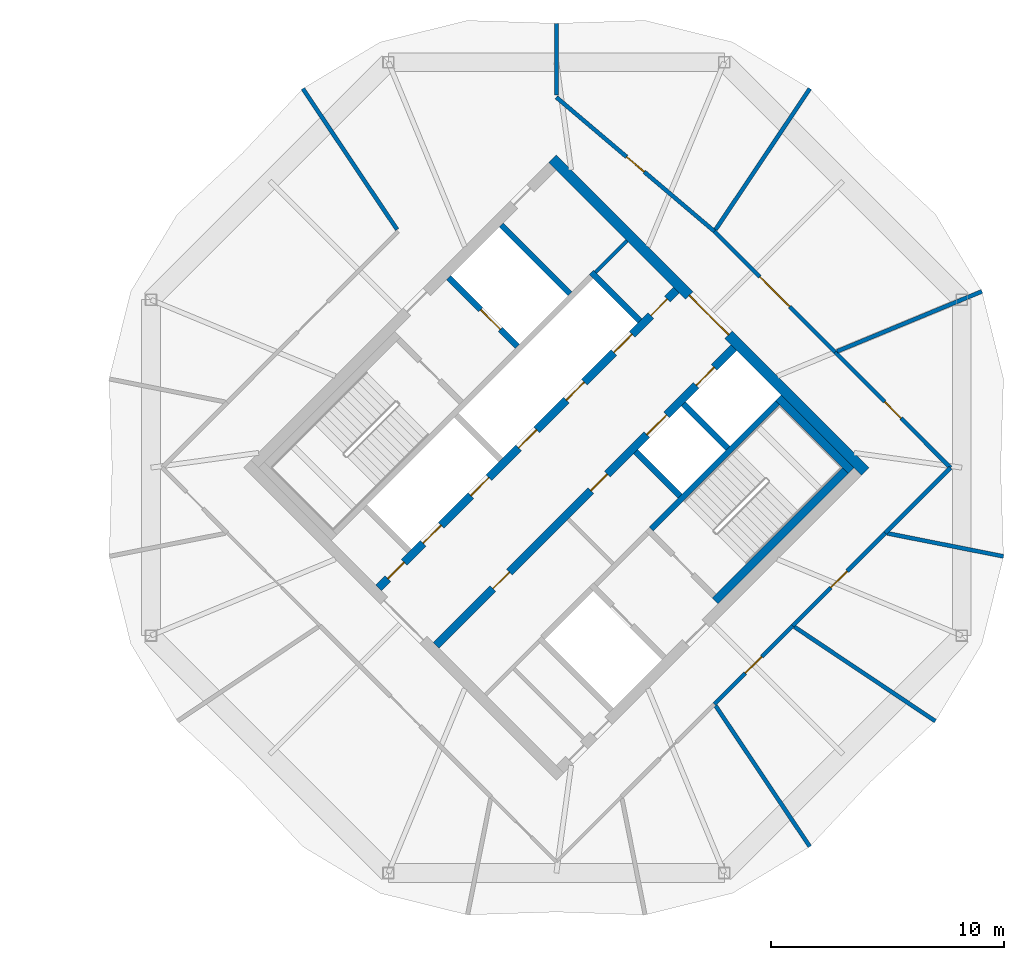
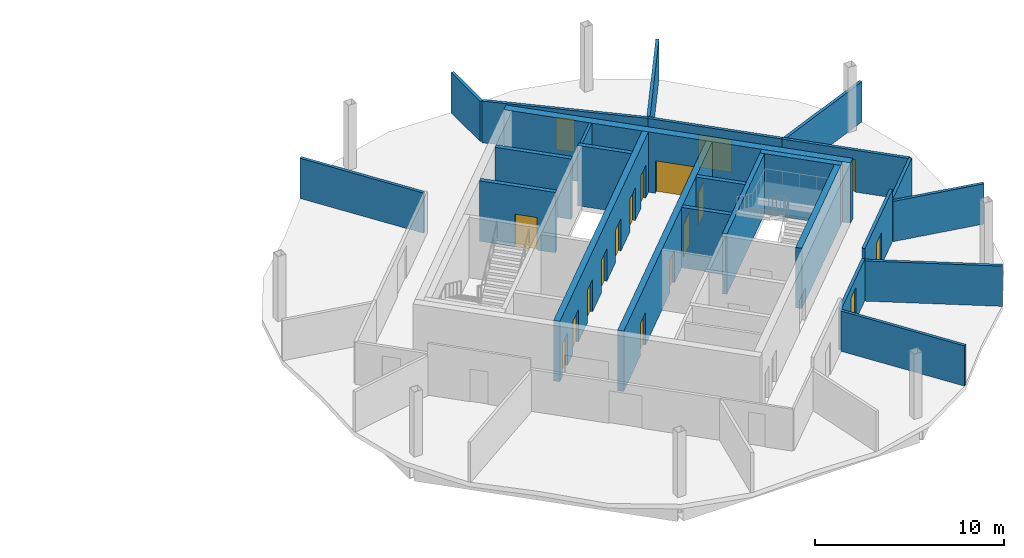
# One storey, part 8 of 10: 25 walls, 18 doors, 18 openings.
"""IFC4 building model written with IfcOpenShell, lengths in metres."""

import ifcopenshell
import ifcopenshell.guid

model = None  # the IFC model being written
_history = None  # IfcOwnerHistory: only IFC2X3 demands one
_inside = {}  # id of a spatial element -> (the spatial element, [elements in it])
_under = {}  # id of a project, library or spatial element -> (it, [spatial elements below it])
_declared = {}  # id of a project -> (the project, [libraries it declares])
_typed = {}  # id of a type object -> (the type object, [elements of that type])
_made_of = {}  # id of a material, layer set ... -> (it, [elements and type objects made of it])


def new_model(schema):
    """Start an empty IFC model of exactly this schema.

    Asked for "IFC4X3", IfcOpenShell would pick the latest addendum, in which some entities
    have other attributes; the version numbers below select the first issue.
    IFC2X3 requires an IfcOwnerHistory on every rooted entity: one is made here for all.
    """
    global model, _history
    if schema == "IFC4X3":
        model = ifcopenshell.file(schema_version=(4, 3, 0, 0))
    else:
        model = ifcopenshell.file(schema=schema)
    _inside.clear()
    _under.clear()
    _declared.clear()
    _typed.clear()
    _made_of.clear()
    _history = None
    if model.schema == "IFC2X3":
        org = make("IfcOrganization", Name="unknown")
        user = make(
            "IfcPersonAndOrganization",
            ThePerson=make("IfcPerson", FamilyName="unknown"),
            TheOrganization=org,
        )
        app = make(
            "IfcApplication",
            ApplicationDeveloper=org,
            Version="unknown",
            ApplicationFullName="unknown",
            ApplicationIdentifier="unknown",
        )
        _history = make(
            "IfcOwnerHistory",
            OwningUser=user,
            OwningApplication=app,
            ChangeAction="ADDED",
            CreationDate=0,
        )
    return model


def make(cls, **values):
    """One entity of the class cls with the attributes given. An attribute that is None is left unset."""
    return model.create_entity(
        cls, **{name: value for name, value in values.items() if value is not None}
    )


def rooted(cls, **values):
    """An entity with a GlobalId (a new one), such as an element, a storey or a relation."""
    return make(cls, GlobalId=ifcopenshell.guid.new(), OwnerHistory=_history, **values)


def si_unit(unit_type, name, prefix=None):
    """IfcSIUnit, for example si_unit("LENGTHUNIT", "METRE", prefix="MILLI")."""
    return make("IfcSIUnit", UnitType=unit_type, Prefix=prefix, Name=name)


def assignment(units):
    """IfcUnitAssignment: the units of a project."""
    return None if units is None else make("IfcUnitAssignment", Units=units)


def point(xyz):
    """IfcCartesianPoint."""
    return None if xyz is None else make("IfcCartesianPoint", Coordinates=xyz)


def direction(xyz):
    """IfcDirection."""
    return None if xyz is None else make("IfcDirection", DirectionRatios=xyz)


def frame(location, z_axis=None, x_axis=None):
    """IfcAxis2Placement3D, a coordinate frame: its origin and axes. An axis left out is left unset."""
    return make(
        "IfcAxis2Placement3D",
        Location=point(location),
        Axis=direction(z_axis),
        RefDirection=direction(x_axis),
    )


def frame_2d(location, x_axis=None):
    """IfcAxis2Placement2D, a coordinate frame in the plane: its origin and x axis."""
    return make(
        "IfcAxis2Placement2D", Location=point(location), RefDirection=direction(x_axis)
    )


def origin():
    """The frame at (0, 0, 0) with its axes left unset."""
    return frame((0.0, 0.0, 0.0))


def place(relative_to, where):
    """IfcLocalPlacement: puts the frame where relative to a parent placement (None: the world)."""
    return make(
        "IfcLocalPlacement", PlacementRelTo=relative_to, RelativePlacement=where
    )


def context(
    kind, dimensions, precision=None, world=None, true_north=None, identifier=None
):
    """IfcGeometricRepresentationContext, for example the 3D "Model" context."""
    return make(
        "IfcGeometricRepresentationContext",
        ContextIdentifier=identifier,
        ContextType=kind,
        CoordinateSpaceDimension=dimensions,
        Precision=precision,
        WorldCoordinateSystem=world,
        TrueNorth=true_north,
    )


def subcontext(parent, identifier, kind, view, scale=None):
    """IfcGeometricRepresentationSubContext, for example "Body" below "Model"."""
    return make(
        "IfcGeometricRepresentationSubContext",
        ContextIdentifier=identifier,
        ContextType=kind,
        ParentContext=parent,
        TargetScale=scale,
        TargetView=view,
    )


def project(units=None, contexts=None):
    """IfcProject with its units and contexts."""
    return rooted(
        "IfcProject",
        Name="project",
        RepresentationContexts=contexts,
        UnitsInContext=assignment(units),
    )


def spatial(cls, under=None, at=None, **own):
    """A site, building, storey or space (cls), placed at a placement, below another one or the project."""
    s = rooted(cls, ObjectPlacement=at, **own)
    if under is not None:
        _under.setdefault(under.id(), (under, []))[1].append(s)
    return s


def profile(cls, at=None, kind="AREA", **sizes):
    """A parametric profile (cls). Its sizes go by their IFC names, for example OverallWidth=200.0."""
    return make(cls, ProfileType=kind, Position=at, **sizes)


def rectangle(**sizes):
    """IfcRectangleProfileDef."""
    return profile("IfcRectangleProfileDef", **sizes)


def extrude(swept, where, along, depth):
    """IfcExtrudedAreaSolid: the profile swept, set in the frame where, extruded along a direction by depth."""
    return make(
        "IfcExtrudedAreaSolid",
        SweptArea=swept,
        Position=where,
        ExtrudedDirection=direction(along),
        Depth=depth,
    )


def shape(context_of_items, identifier, shape_type, items):
    """IfcShapeRepresentation: the items that make up one representation, for example the "Body"."""
    return make(
        "IfcShapeRepresentation",
        ContextOfItems=context_of_items,
        RepresentationIdentifier=identifier,
        RepresentationType=shape_type,
        Items=items,
    )


def material(Name=None, Category=None):
    """IfcMaterial."""
    return make("IfcMaterial", Name=Name, Category=Category)


def layer(
    of_material, thickness, ventilated=None, Name=None, Category=None, Priority=None
):
    """IfcMaterialLayer: one layer of a wall or slab, of a material (None: an air gap)."""
    return make(
        "IfcMaterialLayer",
        Material=of_material,
        LayerThickness=thickness,
        IsVentilated=ventilated,
        Name=Name,
        Category=Category,
        Priority=Priority,
    )


def layer_set(layers, Name=None):
    """IfcMaterialLayerSet."""
    return make("IfcMaterialLayerSet", MaterialLayers=layers, LayerSetName=Name)


def made_of(thing, what):
    """Note that an element or type object is made of a material, layer set ...; save() writes the relation."""
    if what is not None:
        _made_of.setdefault(what.id(), (what, []))[1].append(thing)
    return thing


def type_object(cls, material=None, **own):
    """A type object (cls), such as IfcWallType, which elements share."""
    return made_of(rooted(cls, **own), material)


def element(
    cls,
    number,
    at=None,
    inside=None,
    cuts=None,
    type_object=None,
    material=None,
    context=None,
    identifier="Body",
    shape_type=None,
    held_by="IfcProductDefinitionShape",
    body=None,
    shapes=None,
    **own,
):
    """One element of the class cls, such as IfcWall. Its Tag is "e" and its number.

    at: its placement. inside: the storey or other place that contains it. cuts: it is an
    opening in that element (IfcRelVoidsElement). A single representation is given by context,
    identifier, shape_type and body (its items); several are given by shapes. held_by: the class
    of the entity that holds the representations. save() writes the other relations.
    """
    e = rooted(cls, Tag="e%d" % number, ObjectPlacement=at, **own)
    if body is not None:
        shapes = [shape(context, identifier, shape_type, body)]
    if shapes is not None:
        e.Representation = make(held_by, Representations=shapes)
    if inside is not None:
        _inside.setdefault(inside.id(), (inside, []))[1].append(e)
    if cuts is not None:
        rooted(
            "IfcRelVoidsElement", RelatingBuildingElement=cuts, RelatedOpeningElement=e
        )
    if type_object is not None:
        _typed.setdefault(type_object.id(), (type_object, []))[1].append(e)
    return made_of(e, material)


def fill(opening, filler):
    """IfcRelFillsElement: the door or window that sits in an opening."""
    return rooted(
        "IfcRelFillsElement",
        RelatingOpeningElement=opening,
        RelatedBuildingElement=filler,
    )


def aggregate(whole, parts):
    """IfcRelAggregates: a whole, such as a stair, and the parts it consists of."""
    return rooted("IfcRelAggregates", RelatingObject=whole, RelatedObjects=parts)


def save(model, path):
    """Write the relations noted so far, then the file.

    IfcRelAggregates (storeys below a building ...), IfcRelContainedInSpatialStructure (elements
    in a storey), IfcRelDefinesByType, IfcRelAssociatesMaterial and IfcRelDeclares: one each for
    every whole, place, type object, material and project.
    """
    for whole, parts in _under.values():
        aggregate(whole, parts)
    for where, things in _inside.values():
        rooted(
            "IfcRelContainedInSpatialStructure",
            RelatedElements=things,
            RelatingStructure=where,
        )
    for kind, things in _typed.values():
        rooted("IfcRelDefinesByType", RelatedObjects=things, RelatingType=kind)
    for what, things in _made_of.values():
        rooted("IfcRelAssociatesMaterial", RelatedObjects=things, RelatingMaterial=what)
    for by, libraries in _declared.values():
        rooted("IfcRelDeclares", RelatingContext=by, RelatedDefinitions=libraries)
    model.write(path)


model = new_model("IFC4")

# Units and contexts
model_context = context("Model", 3, precision=1e-05, world=origin(), true_north=direction((0.0, 1.0)))
body_context = subcontext(model_context, "Body", "Model", "MODEL_VIEW")
ifc_project = project(units=[si_unit("LENGTHUNIT", "METRE"), si_unit("AREAUNIT", "SQUARE_METRE"), si_unit("VOLUMEUNIT", "CUBIC_METRE"), si_unit("PLANEANGLEUNIT", "RADIAN"), si_unit("MASSUNIT", "GRAM", prefix="KILO")], contexts=[model_context])

# Site, building, storey
site_placement = place(None, origin())
site = spatial("IfcSite", under=ifc_project, at=site_placement, CompositionType="ELEMENT")
building_placement = place(site_placement, origin())
building = spatial("IfcBuilding", under=site, at=building_placement, Name="Ogive Gate Towers", CompositionType="ELEMENT")
storey_placement = place(building_placement, frame((0.0, 0.0, 260.39990234375)))
storey = spatial("IfcBuildingStorey", under=building, at=storey_placement, Name="L61", CompositionType="ELEMENT", Elevation=260.39990234375)

# Walls
ifc_material_1 = material(Name="Gypsum board acoustic partition")
ifc_layer_1 = layer(ifc_material_1, 0.175048828125)
ifc_layer_set_1 = layer_set([ifc_layer_1], Name="Acoustic partition 175")
wall_type_1 = type_object("IfcWallType", Name="Acoustic partition 175", PredefinedType="PARTITIONING", material=ifc_layer_set_1)
wall_1_placement = place(storey_placement, frame((54.29296875, 7.5771484375, 0.0), z_axis=(0.0, 0.0, 1.0), x_axis=(-0.923879560548, -0.382683364678, 0.0)))
element("IfcWall", 1, at=wall_1_placement, inside=storey, type_object=wall_type_1, Name="Partition T2-L61-001", PredefinedType="PARTITIONING", context=body_context, shape_type="SweptSolid", body=[
    extrude(rectangle(XDim=6.741455078125, YDim=0.175048828125, at=frame_2d((3.37060546875, 0.0))), origin(), (0.0, 0.0, 1.0), 2.60009765625),
])
wall_2_placement = place(storey_placement, frame((46.896484375, 16.291259765625, 0.0), z_axis=(0.0, 0.0, 1.0), x_axis=(-0.55596678997, -0.83120450459, 0.0)))
element("IfcWall", 2, at=wall_2_placement, inside=storey, type_object=wall_type_1, Name="Partition T2-L61-002", PredefinedType="PARTITIONING", context=body_context, shape_type="SweptSolid", body=[
    extrude(rectangle(XDim=7.291259765625, YDim=0.175048828125, at=frame_2d((3.6455078125, 0.0))), origin(), (0.0, 0.0, 1.0), 2.60009765625),
])
wall_3_placement = place(storey_placement, frame((36.0, 19.09912109375, 0.0), z_axis=(0.0, 0.0, 1.0), x_axis=(0.0, -1.0, 0.0)))
element("IfcWall", 3, at=wall_3_placement, inside=storey, type_object=wall_type_1, Name="Partition T2-L61-003", PredefinedType="PARTITIONING", context=body_context, shape_type="SweptSolid", body=[
    extrude(rectangle(XDim=3.091552734375, YDim=0.175048828125, at=frame_2d((1.5458984375, 0.0))), origin(), (0.0, 0.0, 1.0), 2.60009765625),
])
for number, where, z_axis, x_axis, name in (
    (4, (25.103515625, 16.291259765625, 0.0), (0.0, 0.0, 1.0), (0.55596678997, -0.83120450459, 0.0), "Partition T2-L61-004"),
    (5, (46.896484375, -16.291259765625, 0.0), (0.0, 0.0, 1.0), (-0.55596678997, 0.83120450459, 0.0), "Partition T2-L61-010"),
    (6, (52.291259765625, -10.896484375, 0.0), (0.0, 0.0, 1.0), (-0.83120450459, 0.55596678997, 0.0), "Partition T2-L61-011"),
):
    element("IfcWall", number, at=place(storey_placement, frame(where, z_axis=z_axis, x_axis=x_axis)), inside=storey, type_object=wall_type_1, Name=name, PredefinedType="PARTITIONING", context=body_context, shape_type="SweptSolid", body=[
        extrude(rectangle(XDim=7.291259765625, YDim=0.175048828125, at=frame_2d((3.6455078125, 0.0))), origin(), (0.0, 0.0, 1.0), 2.60009765625),
    ])
wall_4_placement = place(storey_placement, frame((55.224609375, -3.814697265625, 0.0), z_axis=(0.0, 0.0, 1.0), x_axis=(-0.980874659821, 0.194640442152, 0.0)))
element("IfcWall", 7, at=wall_4_placement, inside=storey, type_object=wall_type_1, Name="Partition T2-L61-012", PredefinedType="PARTITIONING", context=body_context, shape_type="SweptSolid", body=[
    extrude(rectangle(XDim=5.09130859375, YDim=0.175048828125, at=frame_2d((2.545654296875, 0.0))), origin(), (0.0, 0.0, 1.0), 2.60009765625),
])

# Wall, opening, door
wall_5_placement = place(storey_placement, frame((42.794189453125, -10.157958984375, 0.0), z_axis=(0.0, 0.0, 1.0), x_axis=(0.707106781187, 0.707106781187, 0.0)))
wall_5 = element("IfcWall", 8, at=wall_5_placement, inside=storey, type_object=wall_type_1, Name="Partition T2-L61-013", PredefinedType="PARTITIONING", context=body_context, shape_type="SweptSolid", body=[
    extrude(rectangle(XDim=4.757080078125, YDim=0.175048828125, at=frame_2d((2.37841796875, 0.0))), origin(), (0.0, 0.0, 1.0), 2.7001953125),
])
opening_1_placement = place(wall_5_placement, frame((1.87890625, 0.0, 0.0)))
opening_1 = element("IfcOpeningElement", 9, at=opening_1_placement, cuts=wall_5, Name="Opening T2-L61-D01", PredefinedType="OPENING", context=body_context, shape_type="SweptSolid", body=[
    extrude(rectangle(XDim=1.0, YDim=2.10009765625, at=frame_2d((0.5, 1.050048828125))), frame((0.0, 0.09765625, 0.0), z_axis=(0.0, -1.0, 0.0), x_axis=(1.0, 0.0, 0.0)), (0.0, 0.0, 1.0), 0.195068359375),
])
ifc_material_2 = material(Name="Timber door", Category="wood")
door_type_1 = type_object("IfcDoorType", Name="Door 1000", OperationType="NOTDEFINED", PredefinedType="DOOR", material=ifc_material_2)
door_1_placement = place(opening_1_placement, origin())
door_1 = element("IfcDoor", 10, at=door_1_placement, inside=storey, type_object=door_type_1, Name="Door T2-L61-D01", OperationType="SINGLE_SWING_RIGHT", OverallHeight=2.10009765625, OverallWidth=1.0, PredefinedType="DOOR", context=body_context, shape_type="SweptSolid", body=[
    extrude(rectangle(XDim=1.0, YDim=2.10009765625, at=frame_2d((0.5, 1.050048828125))), frame((0.0, 0.02490234375, 0.0), z_axis=(0.0, -1.0, 0.0), x_axis=(1.0, 0.0, 0.0)), (0.0, 0.0, 1.0), 0.050048828125),
])
fill(opening_1, door_1)

wall_6_placement = place(storey_placement, frame((46.157958984375, -6.794189453125, 0.0), z_axis=(0.0, 0.0, 1.0), x_axis=(0.707041832537, 0.707171723871, 0.0)))
wall_6 = element("IfcWall", 11, at=wall_6_placement, inside=storey, type_object=wall_type_1, Name="Partition T2-L61-014", PredefinedType="PARTITIONING", context=body_context, shape_type="SweptSolid", body=[
    extrude(rectangle(XDim=5.638671875, YDim=0.175048828125, at=frame_2d((2.8193359375, 0.0))), origin(), (0.0, 0.0, 1.0), 3.35009765625),
])
opening_2_placement = place(wall_6_placement, frame((2.319091796875, 0.0, 0.0)))
opening_2 = element("IfcOpeningElement", 12, at=opening_2_placement, cuts=wall_6, Name="Opening T2-L61-D02", PredefinedType="OPENING", context=body_context, shape_type="SweptSolid", body=[
    extrude(rectangle(XDim=1.0, YDim=2.10009765625, at=frame_2d((0.5, 1.050048828125))), frame((0.0, 0.09765625, 0.0), z_axis=(0.0, -1.0, 0.0), x_axis=(1.0, 0.0, 0.0)), (0.0, 0.0, 1.0), 0.195068359375),
])
door_2_placement = place(opening_2_placement, origin())
door_2 = element("IfcDoor", 13, at=door_2_placement, inside=storey, type_object=door_type_1, Name="Door T2-L61-D02", OperationType="SINGLE_SWING_RIGHT", OverallHeight=2.10009765625, OverallWidth=1.0, PredefinedType="DOOR", context=body_context, shape_type="SweptSolid", body=[
    extrude(rectangle(XDim=1.0, YDim=2.10009765625, at=frame_2d((0.5, 1.050048828125))), frame((0.0, 0.02490234375, 0.0), z_axis=(0.0, -1.0, 0.0), x_axis=(1.0, 0.0, 0.0)), (0.0, 0.0, 1.0), 0.050048828125),
])
fill(opening_2, door_2)

wall_7_placement = place(storey_placement, frame((52.9423828125, 0.0, 0.0), z_axis=(0.0, 0.0, 1.0), x_axis=(-0.706741328915, 0.70747204468, 0.0)))
wall_7 = element("IfcWall", 14, at=wall_7_placement, inside=storey, type_object=wall_type_1, Name="Partition T2-L61-015", PredefinedType="PARTITIONING", context=body_context, shape_type="SweptSolid", body=[
    extrude(rectangle(XDim=7.016357421875, YDim=0.175048828125, at=frame_2d((3.50830078125, 0.0))), origin(), (0.0, 0.0, 1.0), 2.7001953125),
])
opening_3_placement = place(wall_7_placement, frame((3.008056640625, 0.0, 0.0)))
opening_3 = element("IfcOpeningElement", 15, at=opening_3_placement, cuts=wall_7, Name="Opening T2-L61-D03", PredefinedType="OPENING", context=body_context, shape_type="SweptSolid", body=[
    extrude(rectangle(XDim=1.0, YDim=2.10009765625, at=frame_2d((0.5, 1.050048828125))), frame((0.0, 0.09765625, 0.0), z_axis=(0.0, -1.0, 0.0), x_axis=(1.0, 0.0, 0.0)), (0.0, 0.0, 1.0), 0.195068359375),
])
door_3_placement = place(opening_3_placement, origin())
door_3 = element("IfcDoor", 16, at=door_3_placement, inside=storey, type_object=door_type_1, Name="Door T2-L61-D03", OperationType="SINGLE_SWING_RIGHT", OverallHeight=2.10009765625, OverallWidth=1.0, PredefinedType="DOOR", context=body_context, shape_type="SweptSolid", body=[
    extrude(rectangle(XDim=1.0, YDim=2.10009765625, at=frame_2d((0.5, 1.050048828125))), frame((0.0, 0.02490234375, 0.0), z_axis=(0.0, -1.0, 0.0), x_axis=(1.0, 0.0, 0.0)), (0.0, 0.0, 1.0), 0.050048828125),
])
fill(opening_3, door_3)

# Wall
wall_8_placement = place(storey_placement, frame((50.144775390625, -2.806640625, 0.0), z_axis=(0.0, 0.0, 1.0), x_axis=(0.705966114567, 0.708245610705, 0.0)))
element("IfcWall", 17, at=wall_8_placement, inside=storey, type_object=wall_type_1, Name="Partition T2-L61-016", PredefinedType="PARTITIONING", context=body_context, shape_type="SweptSolid", body=[
    extrude(rectangle(XDim=3.962890625, YDim=0.175048828125, at=frame_2d((1.9814453125, 0.0))), origin(), (0.0, 0.0, 1.0), 2.7001953125),
])

# Wall, opening, door
wall_9_placement = place(storey_placement, frame((47.983642578125, 4.9638671875, 0.0), z_axis=(0.0, 0.0, 1.0), x_axis=(-0.706790822746, 0.70742259851, 0.0)))
wall_9 = element("IfcWall", 18, at=wall_9_placement, inside=storey, type_object=wall_type_1, Name="Partition T2-L61-017", PredefinedType="PARTITIONING", context=body_context, shape_type="SweptSolid", body=[
    extrude(rectangle(XDim=7.34228515625, YDim=0.175048828125, at=frame_2d((3.671142578125, 0.0))), origin(), (0.0, 0.0, 1.0), 2.7001953125),
])
opening_4_placement = place(wall_9_placement, frame((2.77099609375, 0.0, 0.0)))
opening_4 = element("IfcOpeningElement", 19, at=opening_4_placement, cuts=wall_9, Name="Opening T2-L61-D04", PredefinedType="OPENING", context=body_context, shape_type="SweptSolid", body=[
    extrude(rectangle(XDim=1.800048828125, YDim=2.10009765625, at=frame_2d((0.89990234375, 1.050048828125))), frame((0.0, 0.09765625, 0.0), z_axis=(0.0, -1.0, 0.0), x_axis=(1.0, 0.0, 0.0)), (0.0, 0.0, 1.0), 0.195068359375),
])
door_type_2 = type_object("IfcDoorType", Name="Door pair 1800", OperationType="NOTDEFINED", PredefinedType="DOOR", material=ifc_material_2)
door_4_placement = place(opening_4_placement, origin())
door_4 = element("IfcDoor", 20, at=door_4_placement, inside=storey, type_object=door_type_2, Name="Door T2-L61-D04", OperationType="DOUBLE_DOOR_DOUBLE_SWING", OverallHeight=2.10009765625, OverallWidth=1.800048828125, PredefinedType="DOOR", context=body_context, shape_type="SweptSolid", body=[
    extrude(rectangle(XDim=1.800048828125, YDim=2.10009765625, at=frame_2d((0.89990234375, 1.050048828125))), frame((0.0, 0.02490234375, 0.0), z_axis=(0.0, -1.0, 0.0), x_axis=(1.0, 0.0, 0.0)), (0.0, 0.0, 1.0), 0.050048828125),
])
fill(opening_4, door_4)

wall_10_placement = place(storey_placement, frame((42.794189453125, 10.157958984375, 0.0), z_axis=(0.0, 0.0, 1.0), x_axis=(-0.762650867546, 0.646810369608, 0.0)))
wall_10 = element("IfcWall", 21, at=wall_10_placement, inside=storey, type_object=wall_type_1, Name="Partition T2-L61-018", PredefinedType="PARTITIONING", context=body_context, shape_type="SweptSolid", body=[
    extrude(rectangle(XDim=8.90869140625, YDim=0.175048828125, at=frame_2d((4.454345703125, 0.0))), origin(), (0.0, 0.0, 1.0), 2.7001953125),
])
opening_5_placement = place(wall_10_placement, frame((3.9541015625, 0.0, 0.0)))
opening_5 = element("IfcOpeningElement", 22, at=opening_5_placement, cuts=wall_10, Name="Opening T2-L61-D05", PredefinedType="OPENING", context=body_context, shape_type="SweptSolid", body=[
    extrude(rectangle(XDim=1.0, YDim=2.10009765625, at=frame_2d((0.5, 1.050048828125))), frame((0.0, 0.09765625, 0.0), z_axis=(0.0, -1.0, 0.0), x_axis=(1.0, 0.0, 0.0)), (0.0, 0.0, 1.0), 0.195068359375),
])
door_5_placement = place(opening_5_placement, origin())
door_5 = element("IfcDoor", 23, at=door_5_placement, inside=storey, type_object=door_type_1, Name="Door T2-L61-D05", OperationType="SINGLE_SWING_LEFT", OverallHeight=2.10009765625, OverallWidth=1.0, PredefinedType="DOOR", context=body_context, shape_type="SweptSolid", body=[
    extrude(rectangle(XDim=1.0, YDim=2.10009765625, at=frame_2d((0.5, 1.050048828125))), frame((0.0, 0.02490234375, 0.0), z_axis=(0.0, -1.0, 0.0), x_axis=(1.0, 0.0, 0.0)), (0.0, 0.0, 1.0), 0.050048828125),
])
fill(opening_5, door_5)

ifc_material_3 = material(Name="Concrete C60/75", Category="concrete")
ifc_layer_2 = layer(ifc_material_3, 0.449951171875)
ifc_layer_set_2 = layer_set([ifc_layer_2], Name="Core wall 450 mm")
wall_type_2 = type_object("IfcWallType", Name="Core wall 450 mm", PredefinedType="SHEAR", material=ifc_layer_set_2)
wall_11_placement = place(storey_placement, frame((49.27587890625, -0.1591796875, 0.0), z_axis=(0.0, 0.0, 1.0), x_axis=(-0.707106781187, 0.707106781187, 0.0)))
wall_11 = element("IfcWall", 24, at=wall_11_placement, inside=storey, type_object=wall_type_2, Name="T2 L61 Core wall 450 mm", PredefinedType="SHEAR", context=body_context, shape_type="SweptSolid", body=[
    extrude(rectangle(XDim=19.0, YDim=0.449951171875, at=frame_2d((9.5, 0.0))), origin(), (0.0, 0.0, 1.0), 3.900146484375),
])
opening_6_placement = place(wall_11_placement, frame((8.300048828125, 0.0, 0.0)))
opening_6 = element("IfcOpeningElement", 25, at=opening_6_placement, cuts=wall_11, Name="Opening KD-T2-L61-02", PredefinedType="OPENING", context=body_context, shape_type="SweptSolid", body=[
    extrude(rectangle(XDim=2.39990234375, YDim=2.10009765625, at=frame_2d((1.199951171875, 1.050048828125))), frame((0.0, 0.23486328125, 0.0), z_axis=(0.0, -1.0, 0.0), x_axis=(1.0, 0.0, 0.0)), (0.0, 0.0, 1.0), 0.469970703125),
])
ifc_material_4 = material(Name="Steel fire door", Category="steel")
door_type_3 = type_object("IfcDoorType", Name="Core double door FD60S 2400 x 2100", OperationType="DOUBLE_DOOR_SINGLE_SWING", PredefinedType="DOOR", material=ifc_material_4)
door_6_placement = place(opening_6_placement, origin())
door_6 = element("IfcDoor", 26, at=door_6_placement, inside=storey, type_object=door_type_3, Name="T2 L61 Core door double", OperationType="DOUBLE_DOOR_SINGLE_SWING", OverallHeight=2.10009765625, OverallWidth=2.39990234375, PredefinedType="DOOR", context=body_context, shape_type="SweptSolid", body=[
    extrude(rectangle(XDim=2.39990234375, YDim=2.10009765625, at=frame_2d((1.199951171875, 1.050048828125))), frame((0.0, 0.02490234375, 0.0), z_axis=(0.0, -1.0, 0.0), x_axis=(1.0, 0.0, 0.0)), (0.0, 0.0, 1.0), 0.050048828125),
])
fill(opening_6, door_6)

# Walls
ifc_material_5 = material(Name="Gypsum board partition")
ifc_layer_3 = layer(ifc_material_5, 0.14990234375)
ifc_layer_set_3 = layer_set([ifc_layer_3], Name="Room partition 150 mm")
wall_type_3 = type_object("IfcWallType", Name="Room partition 150 mm", PredefinedType="PARTITIONING", material=ifc_layer_set_3)
wall_12_placement = place(storey_placement, frame((37.679443359375, 8.39697265625, 0.0), z_axis=(0.0, 0.0, 1.0), x_axis=(0.707106781187, 0.707106781187, 0.0)))
element("IfcWall", 27, at=wall_12_placement, inside=storey, type_object=wall_type_3, Name="T2 L61 Room partition 150 mm", PredefinedType="PARTITIONING", context=body_context, shape_type="SweptSolid", body=[
    extrude(rectangle(XDim=1.9248046875, YDim=0.14990234375, at=frame_2d((0.96240234375, 0.0))), origin(), (0.0, 0.0, 1.0), 3.900146484375),
])
ifc_layer_4 = layer(ifc_material_3, 0.25)
ifc_layer_set_4 = layer_set([ifc_layer_4], Name="Shaft wall 250 mm")
wall_type_4 = type_object("IfcWallType", Name="Shaft wall 250 mm", PredefinedType="SHEAR", material=ifc_layer_set_4)
wall_13_placement = place(storey_placement, frame((40.08349609375, -2.634033203125, 0.0), z_axis=(0.0, 0.0, 1.0), x_axis=(0.707090876314, 0.707122685701, 0.0)))
element("IfcWall", 28, at=wall_13_placement, inside=storey, type_object=wall_type_4, Name="T2 L61 Shaft wall 250 mm", PredefinedType="SHEAR", context=body_context, shape_type="SweptSolid", body=[
    extrude(rectangle(XDim=7.675048828125, YDim=0.25, at=frame_2d((3.83740234375, 0.0))), origin(), (0.0, 0.0, 1.0), 3.900146484375),
])

# Wall, opening, door
wall_14_placement = place(storey_placement, frame((34.320556640625, 5.21484375, 0.0), z_axis=(0.0, 0.0, 1.0), x_axis=(-0.707106781187, 0.707106781187, 0.0)))
wall_14 = element("IfcWall", 29, at=wall_14_placement, inside=storey, type_object=wall_type_4, Name="T2 L61 Shaft wall 250 mm", PredefinedType="SHEAR", context=body_context, shape_type="SweptSolid", body=[
    extrude(rectangle(XDim=4.175048828125, YDim=0.25, at=frame_2d((2.08740234375, 0.0))), origin(), (0.0, 0.0, 1.0), 3.900146484375),
])
opening_7_placement = place(wall_14_placement, frame((1.02490234375, 0.0, 0.0)))
opening_7 = element("IfcOpeningElement", 30, at=opening_7_placement, cuts=wall_14, Name="Opening LD-T2-L61-12", PredefinedType="OPENING", context=body_context, shape_type="SweptSolid", body=[
    extrude(rectangle(XDim=1.199951171875, YDim=2.10009765625, at=frame_2d((0.60009765625, 1.050048828125))), frame((0.0, 0.135009765625, 0.0), z_axis=(0.0, -1.0, 0.0), x_axis=(1.0, 0.0, 0.0)), (0.0, 0.0, 1.0), 0.27001953125),
])
ifc_material_6 = material(Name="Stainless steel landing door", Category="steel")
door_type_4 = type_object("IfcDoorType", Name="Landing door 1200 x 2100", OperationType="SLIDING_TO_LEFT", PredefinedType="DOOR", material=ifc_material_6)
door_7_placement = place(opening_7_placement, origin())
door_7 = element("IfcDoor", 31, at=door_7_placement, inside=storey, type_object=door_type_4, Name="T2 L61 Lift landing door FF1", OperationType="SLIDING_TO_LEFT", OverallHeight=2.10009765625, OverallWidth=1.199951171875, PredefinedType="DOOR", context=body_context, shape_type="SweptSolid", body=[
    extrude(rectangle(XDim=1.199951171875, YDim=2.10009765625, at=frame_2d((0.60009765625, 1.050048828125))), frame((0.0, 0.02490234375, 0.0), z_axis=(0.0, -1.0, 0.0), x_axis=(1.0, 0.0, 0.0)), (0.0, 0.0, 1.0), 0.050048828125),
])
fill(opening_7, door_7)

# Walls
wall_15_placement = place(storey_placement, frame((41.321044921875, -1.2197265625, 0.0), z_axis=(0.0, 0.0, 1.0), x_axis=(-0.707106781187, 0.707106781187, 0.0)))
element("IfcWall", 32, at=wall_15_placement, inside=storey, type_object=wall_type_4, Name="T2 L61 Shaft wall 250 mm", PredefinedType="SHEAR", context=body_context, shape_type="SweptSolid", body=[
    extrude(rectangle(XDim=2.699951171875, YDim=0.25, at=frame_2d((1.35009765625, 0.0))), origin(), (0.0, 0.0, 1.0), 3.900146484375),
])
wall_16_placement = place(storey_placement, frame((36.58349609375, 7.477783203125, 0.0), z_axis=(0.0, 0.0, 1.0), x_axis=(-0.707165256008, 0.707048301529, 0.0)))
element("IfcWall", 33, at=wall_16_placement, inside=storey, type_object=wall_type_4, Name="T2 L61 Shaft wall 250 mm", PredefinedType="SHEAR", context=body_context, shape_type="SweptSolid", body=[
    extrude(rectangle(XDim=4.175048828125, YDim=0.25, at=frame_2d((2.08740234375, 0.0))), origin(), (0.0, 0.0, 1.0), 3.900146484375),
])
wall_17_placement = place(storey_placement, frame((43.37158203125, 0.830810546875, 0.0), z_axis=(0.0, 0.0, 1.0), x_axis=(-0.707106781187, 0.707106781187, 0.0)))
element("IfcWall", 34, at=wall_17_placement, inside=storey, type_object=wall_type_4, Name="T2 L61 Shaft wall 250 mm", PredefinedType="SHEAR", context=body_context, shape_type="SweptSolid", body=[
    extrude(rectangle(XDim=2.699951171875, YDim=0.25, at=frame_2d((1.35009765625, 0.0))), origin(), (0.0, 0.0, 1.0), 3.900146484375),
])
wall_18_placement = place(storey_placement, frame((39.588623046875, 6.310791015625, 0.0), z_axis=(0.0, 0.0, 1.0), x_axis=(-0.707065402085, 0.707148157867, 0.0)))
element("IfcWall", 35, at=wall_18_placement, inside=storey, type_object=wall_type_4, Name="T2 L61 Shaft wall 250 mm", PredefinedType="SHEAR", context=body_context, shape_type="SweptSolid", body=[
    extrude(rectangle(XDim=2.9501953125, YDim=0.25, at=frame_2d((1.47509765625, 0.0))), origin(), (0.0, 0.0, 1.0), 3.900146484375),
])

# Wall, openings, doors
ifc_layer_5 = layer(ifc_material_3, 0.35009765625)
ifc_layer_set_5 = layer_set([ifc_layer_5], Name="Spine wall 350 mm")
wall_type_5 = type_object("IfcWallType", Name="Spine wall 350 mm", PredefinedType="SHEAR", material=ifc_layer_set_5)
wall_19_placement = place(storey_placement, frame((30.838134765625, -7.63671875, 0.0), z_axis=(0.0, 0.0, 1.0), x_axis=(0.707106781187, 0.707106781187, 0.0)))
wall_19 = element("IfcWall", 36, at=wall_19_placement, inside=storey, type_object=wall_type_5, Name="T2 L61 Spine wall 350 mm", PredefinedType="SHEAR", context=body_context, shape_type="SweptSolid", body=[
    extrude(rectangle(XDim=18.099853515625, YDim=0.35009765625, at=frame_2d((9.0498046875, 0.0))), origin(), (0.0, 0.0, 1.0), 3.900146484375),
])
opening_8_placement = place(wall_19_placement, frame((12.800048828125, 0.0, 0.0)))
opening_8 = element("IfcOpeningElement", 37, at=opening_8_placement, cuts=wall_19, Name="Opening LD-T2-L61-10", PredefinedType="OPENING", context=body_context, shape_type="SweptSolid", body=[
    extrude(rectangle(XDim=1.199951171875, YDim=2.10009765625, at=frame_2d((0.60009765625, 1.050048828125))), frame((0.0, 0.18505859375, 0.0), z_axis=(0.0, -1.0, 0.0), x_axis=(1.0, 0.0, 0.0)), (0.0, 0.0, 1.0), 0.3701171875),
])
opening_9_placement = place(wall_19_placement, frame((15.800048828125, 0.0, 0.0)))
opening_9 = element("IfcOpeningElement", 38, at=opening_9_placement, cuts=wall_19, Name="Opening LD-T2-L61-11", PredefinedType="OPENING", context=body_context, shape_type="SweptSolid", body=[
    extrude(rectangle(XDim=1.10009765625, YDim=2.10009765625, at=frame_2d((0.550048828125, 1.050048828125))), frame((0.0, 0.18505859375, 0.0), z_axis=(0.0, -1.0, 0.0), x_axis=(1.0, 0.0, 0.0)), (0.0, 0.0, 1.0), 0.3701171875),
])
opening_10_placement = place(wall_19_placement, frame((3.449951171875, 0.0, 0.0)))
opening_10 = element("IfcOpeningElement", 39, at=opening_10_placement, cuts=wall_19, Name="Opening KD-T2-L61-14", PredefinedType="OPENING", context=body_context, shape_type="SweptSolid", body=[
    extrude(rectangle(XDim=1.0, YDim=2.10009765625, at=frame_2d((0.5, 1.050048828125))), frame((0.0, 0.18505859375, 0.0), z_axis=(0.0, -1.0, 0.0), x_axis=(1.0, 0.0, 0.0)), (0.0, 0.0, 1.0), 0.3701171875),
])
opening_11_placement = place(wall_19_placement, frame((9.39990234375, 0.0, 0.0)))
opening_11 = element("IfcOpeningElement", 40, at=opening_11_placement, cuts=wall_19, Name="Opening KD-T2-L61-15", PredefinedType="OPENING", context=body_context, shape_type="SweptSolid", body=[
    extrude(rectangle(XDim=1.0, YDim=2.10009765625, at=frame_2d((0.5, 1.050048828125))), frame((0.0, 0.18505859375, 0.0), z_axis=(0.0, -1.0, 0.0), x_axis=(1.0, 0.0, 0.0)), (0.0, 0.0, 1.0), 0.3701171875),
])
door_type_5 = type_object("IfcDoorType", Name="Core door FD60S 1000 x 2100", OperationType="NOTDEFINED", PredefinedType="DOOR", material=ifc_material_4)
door_8_placement = place(opening_10_placement, origin())
door_8 = element("IfcDoor", 41, at=door_8_placement, inside=storey, type_object=door_type_5, Name="T2 L61 Core door", OperationType="SINGLE_SWING_LEFT", OverallHeight=2.10009765625, OverallWidth=1.0, PredefinedType="DOOR", context=body_context, shape_type="SweptSolid", body=[
    extrude(rectangle(XDim=1.0, YDim=2.10009765625, at=frame_2d((0.5, 1.050048828125))), frame((0.0, 0.02490234375, 0.0), z_axis=(0.0, -1.0, 0.0), x_axis=(1.0, 0.0, 0.0)), (0.0, 0.0, 1.0), 0.050048828125),
])
fill(opening_10, door_8)
door_9_placement = place(opening_11_placement, origin())
door_9 = element("IfcDoor", 42, at=door_9_placement, inside=storey, type_object=door_type_5, Name="T2 L61 Core door", OperationType="SINGLE_SWING_RIGHT", OverallHeight=2.10009765625, OverallWidth=1.0, PredefinedType="DOOR", context=body_context, shape_type="SweptSolid", body=[
    extrude(rectangle(XDim=1.0, YDim=2.10009765625, at=frame_2d((0.5, 1.050048828125))), frame((0.0, 0.02490234375, 0.0), z_axis=(0.0, -1.0, 0.0), x_axis=(1.0, 0.0, 0.0)), (0.0, 0.0, 1.0), 0.050048828125),
])
fill(opening_11, door_9)
door_type_6 = type_object("IfcDoorType", Name="Landing door 1100 x 2100", OperationType="SLIDING_TO_LEFT", PredefinedType="DOOR", material=ifc_material_6)
door_10_placement = place(opening_9_placement, origin())
door_10 = element("IfcDoor", 43, at=door_10_placement, inside=storey, type_object=door_type_6, Name="T2 L61 Lift landing door B6", OperationType="SLIDING_TO_LEFT", OverallHeight=2.10009765625, OverallWidth=1.10009765625, PredefinedType="DOOR", context=body_context, shape_type="SweptSolid", body=[
    extrude(rectangle(XDim=1.10009765625, YDim=2.10009765625, at=frame_2d((0.550048828125, 1.050048828125))), frame((0.0, 0.02490234375, 0.0), z_axis=(0.0, -1.0, 0.0), x_axis=(1.0, 0.0, 0.0)), (0.0, 0.0, 1.0), 0.050048828125),
])
fill(opening_9, door_10)
door_11_placement = place(opening_8_placement, origin())
door_11 = element("IfcDoor", 44, at=door_11_placement, inside=storey, type_object=door_type_4, Name="T2 L61 Lift landing door SVC", OperationType="SLIDING_TO_LEFT", OverallHeight=2.10009765625, OverallWidth=1.199951171875, PredefinedType="DOOR", context=body_context, shape_type="SweptSolid", body=[
    extrude(rectangle(XDim=1.199951171875, YDim=2.10009765625, at=frame_2d((0.60009765625, 1.050048828125))), frame((0.0, 0.02490234375, 0.0), z_axis=(0.0, -1.0, 0.0), x_axis=(1.0, 0.0, 0.0)), (0.0, 0.0, 1.0), 0.050048828125),
])
fill(opening_8, door_11)

wall_20_placement = place(storey_placement, frame((28.36328125, -5.161865234375, 0.0), z_axis=(0.0, 0.0, 1.0), x_axis=(0.707106781187, 0.707106781187, 0.0)))
wall_20 = element("IfcWall", 45, at=wall_20_placement, inside=storey, type_object=wall_type_5, Name="T2 L61 Spine wall 350 mm", PredefinedType="SHEAR", context=body_context, shape_type="SweptSolid", body=[
    extrude(rectangle(XDim=18.099853515625, YDim=0.35009765625, at=frame_2d((9.0498046875, 0.0))), origin(), (0.0, 0.0, 1.0), 3.900146484375),
])
opening_12_placement = place(wall_20_placement, frame((0.550048828125, 0.0, 0.0)))
opening_12 = element("IfcOpeningElement", 46, at=opening_12_placement, cuts=wall_20, Name="Opening KD-T2-L61-03", PredefinedType="OPENING", context=body_context, shape_type="SweptSolid", body=[
    extrude(rectangle(XDim=1.0, YDim=2.10009765625, at=frame_2d((0.5, 1.050048828125))), frame((0.0, 0.18505859375, 0.0), z_axis=(0.0, -1.0, 0.0), x_axis=(1.0, 0.0, 0.0)), (0.0, 0.0, 1.0), 0.3701171875),
])
opening_13_placement = place(wall_20_placement, frame((2.699951171875, 0.0, 0.0)))
opening_13 = element("IfcOpeningElement", 47, at=opening_13_placement, cuts=wall_20, Name="Opening LD-T2-L61-04", PredefinedType="OPENING", context=body_context, shape_type="SweptSolid", body=[
    extrude(rectangle(XDim=1.10009765625, YDim=2.10009765625, at=frame_2d((0.550048828125, 1.050048828125))), frame((0.0, 0.18505859375, 0.0), z_axis=(0.0, -1.0, 0.0), x_axis=(1.0, 0.0, 0.0)), (0.0, 0.0, 1.0), 0.3701171875),
])
opening_14_placement = place(wall_20_placement, frame((5.60009765625, 0.0, 0.0)))
opening_14 = element("IfcOpeningElement", 48, at=opening_14_placement, cuts=wall_20, Name="Opening LD-T2-L61-05", PredefinedType="OPENING", context=body_context, shape_type="SweptSolid", body=[
    extrude(rectangle(XDim=1.10009765625, YDim=2.10009765625, at=frame_2d((0.550048828125, 1.050048828125))), frame((0.0, 0.18505859375, 0.0), z_axis=(0.0, -1.0, 0.0), x_axis=(1.0, 0.0, 0.0)), (0.0, 0.0, 1.0), 0.3701171875),
])
opening_15_placement = place(wall_20_placement, frame((8.5, 0.0, 0.0)))
opening_15 = element("IfcOpeningElement", 49, at=opening_15_placement, cuts=wall_20, Name="Opening LD-T2-L61-06", PredefinedType="OPENING", context=body_context, shape_type="SweptSolid", body=[
    extrude(rectangle(XDim=1.10009765625, YDim=2.10009765625, at=frame_2d((0.550048828125, 1.050048828125))), frame((0.0, 0.18505859375, 0.0), z_axis=(0.0, -1.0, 0.0), x_axis=(1.0, 0.0, 0.0)), (0.0, 0.0, 1.0), 0.3701171875),
])
opening_16_placement = place(wall_20_placement, frame((11.39990234375, 0.0, 0.0)))
opening_16 = element("IfcOpeningElement", 50, at=opening_16_placement, cuts=wall_20, Name="Opening LD-T2-L61-07", PredefinedType="OPENING", context=body_context, shape_type="SweptSolid", body=[
    extrude(rectangle(XDim=1.10009765625, YDim=2.10009765625, at=frame_2d((0.550048828125, 1.050048828125))), frame((0.0, 0.18505859375, 0.0), z_axis=(0.0, -1.0, 0.0), x_axis=(1.0, 0.0, 0.0)), (0.0, 0.0, 1.0), 0.3701171875),
])
opening_17_placement = place(wall_20_placement, frame((14.300048828125, 0.0, 0.0)))
opening_17 = element("IfcOpeningElement", 51, at=opening_17_placement, cuts=wall_20, Name="Opening LD-T2-L61-08", PredefinedType="OPENING", context=body_context, shape_type="SweptSolid", body=[
    extrude(rectangle(XDim=1.10009765625, YDim=2.10009765625, at=frame_2d((0.550048828125, 1.050048828125))), frame((0.0, 0.18505859375, 0.0), z_axis=(0.0, -1.0, 0.0), x_axis=(1.0, 0.0, 0.0)), (0.0, 0.0, 1.0), 0.3701171875),
])
opening_18_placement = place(wall_20_placement, frame((16.550048828125, 0.0, 0.0)))
opening_18 = element("IfcOpeningElement", 52, at=opening_18_placement, cuts=wall_20, Name="Opening KD-T2-L61-09", PredefinedType="OPENING", context=body_context, shape_type="SweptSolid", body=[
    extrude(rectangle(XDim=1.0, YDim=2.10009765625, at=frame_2d((0.5, 1.050048828125))), frame((0.0, 0.18505859375, 0.0), z_axis=(0.0, -1.0, 0.0), x_axis=(1.0, 0.0, 0.0)), (0.0, 0.0, 1.0), 0.3701171875),
])
door_12_placement = place(opening_12_placement, origin())
door_12 = element("IfcDoor", 53, at=door_12_placement, inside=storey, type_object=door_type_5, Name="T2 L61 Core door", OperationType="SINGLE_SWING_RIGHT", OverallHeight=2.10009765625, OverallWidth=1.0, PredefinedType="DOOR", context=body_context, shape_type="SweptSolid", body=[
    extrude(rectangle(XDim=1.0, YDim=2.10009765625, at=frame_2d((0.5, 1.050048828125))), frame((0.0, 0.02490234375, 0.0), z_axis=(0.0, -1.0, 0.0), x_axis=(1.0, 0.0, 0.0)), (0.0, 0.0, 1.0), 0.050048828125),
])
fill(opening_12, door_12)
door_13_placement = place(opening_18_placement, origin())
door_13 = element("IfcDoor", 54, at=door_13_placement, inside=storey, type_object=door_type_5, Name="T2 L61 Core door", OperationType="SINGLE_SWING_RIGHT", OverallHeight=2.10009765625, OverallWidth=1.0, PredefinedType="DOOR", context=body_context, shape_type="SweptSolid", body=[
    extrude(rectangle(XDim=1.0, YDim=2.10009765625, at=frame_2d((0.5, 1.050048828125))), frame((0.0, 0.02490234375, 0.0), z_axis=(0.0, -1.0, 0.0), x_axis=(1.0, 0.0, 0.0)), (0.0, 0.0, 1.0), 0.050048828125),
])
fill(opening_18, door_13)
door_14_placement = place(opening_13_placement, origin())
door_14 = element("IfcDoor", 55, at=door_14_placement, inside=storey, type_object=door_type_6, Name="T2 L61 Lift landing door B1", OperationType="SLIDING_TO_LEFT", OverallHeight=2.10009765625, OverallWidth=1.10009765625, PredefinedType="DOOR", context=body_context, shape_type="SweptSolid", body=[
    extrude(rectangle(XDim=1.10009765625, YDim=2.10009765625, at=frame_2d((0.550048828125, 1.050048828125))), frame((0.0, 0.02490234375, 0.0), z_axis=(0.0, -1.0, 0.0), x_axis=(1.0, 0.0, 0.0)), (0.0, 0.0, 1.0), 0.050048828125),
])
fill(opening_13, door_14)
door_15_placement = place(opening_14_placement, origin())
door_15 = element("IfcDoor", 56, at=door_15_placement, inside=storey, type_object=door_type_6, Name="T2 L61 Lift landing door B2", OperationType="SLIDING_TO_LEFT", OverallHeight=2.10009765625, OverallWidth=1.10009765625, PredefinedType="DOOR", context=body_context, shape_type="SweptSolid", body=[
    extrude(rectangle(XDim=1.10009765625, YDim=2.10009765625, at=frame_2d((0.550048828125, 1.050048828125))), frame((0.0, 0.02490234375, 0.0), z_axis=(0.0, -1.0, 0.0), x_axis=(1.0, 0.0, 0.0)), (0.0, 0.0, 1.0), 0.050048828125),
])
fill(opening_14, door_15)
door_16_placement = place(opening_15_placement, origin())
door_16 = element("IfcDoor", 57, at=door_16_placement, inside=storey, type_object=door_type_6, Name="T2 L61 Lift landing door B3", OperationType="SLIDING_TO_LEFT", OverallHeight=2.10009765625, OverallWidth=1.10009765625, PredefinedType="DOOR", context=body_context, shape_type="SweptSolid", body=[
    extrude(rectangle(XDim=1.10009765625, YDim=2.10009765625, at=frame_2d((0.550048828125, 1.050048828125))), frame((0.0, 0.02490234375, 0.0), z_axis=(0.0, -1.0, 0.0), x_axis=(1.0, 0.0, 0.0)), (0.0, 0.0, 1.0), 0.050048828125),
])
fill(opening_15, door_16)
door_17_placement = place(opening_16_placement, origin())
door_17 = element("IfcDoor", 58, at=door_17_placement, inside=storey, type_object=door_type_6, Name="T2 L61 Lift landing door B4", OperationType="SLIDING_TO_LEFT", OverallHeight=2.10009765625, OverallWidth=1.10009765625, PredefinedType="DOOR", context=body_context, shape_type="SweptSolid", body=[
    extrude(rectangle(XDim=1.10009765625, YDim=2.10009765625, at=frame_2d((0.550048828125, 1.050048828125))), frame((0.0, 0.02490234375, 0.0), z_axis=(0.0, -1.0, 0.0), x_axis=(1.0, 0.0, 0.0)), (0.0, 0.0, 1.0), 0.050048828125),
])
fill(opening_16, door_17)
door_18_placement = place(opening_17_placement, origin())
door_18 = element("IfcDoor", 59, at=door_18_placement, inside=storey, type_object=door_type_6, Name="T2 L61 Lift landing door B5", OperationType="SLIDING_TO_LEFT", OverallHeight=2.10009765625, OverallWidth=1.10009765625, PredefinedType="DOOR", context=body_context, shape_type="SweptSolid", body=[
    extrude(rectangle(XDim=1.10009765625, YDim=2.10009765625, at=frame_2d((0.550048828125, 1.050048828125))), frame((0.0, 0.02490234375, 0.0), z_axis=(0.0, -1.0, 0.0), x_axis=(1.0, 0.0, 0.0)), (0.0, 0.0, 1.0), 0.050048828125),
])
fill(opening_17, door_18)

# Walls
ifc_layer_6 = layer(ifc_material_3, 0.35009765625)
ifc_layer_set_6 = layer_set([ifc_layer_6], Name="Stair wall 350 mm")
wall_type_6 = type_object("IfcWallType", Name="Stair wall 350 mm", PredefinedType="SHEAR", material=ifc_layer_set_6)
wall_21_placement = place(storey_placement, frame((42.823486328125, -5.7275390625, 0.0), z_axis=(0.0, 0.0, 1.0), x_axis=(0.707122184046, 0.707091377991, 0.0)))
element("IfcWall", 60, at=wall_21_placement, inside=storey, type_object=wall_type_6, Name="T2 L61 Stair wall 350 mm", PredefinedType="SHEAR", context=body_context, shape_type="SweptSolid", body=[
    extrude(rectangle(XDim=7.925048828125, YDim=0.35009765625, at=frame_2d((3.96240234375, 0.0))), origin(), (0.0, 0.0, 1.0), 3.900146484375),
])
wall_22_placement = place(storey_placement, frame((48.6748046875, -0.123779296875, 0.0), z_axis=(0.0, 0.0, 1.0), x_axis=(-0.707106781187, 0.707106781187, 0.0)))
element("IfcWall", 61, at=wall_22_placement, inside=storey, type_object=wall_type_6, Name="T2 L61 Stair wall 350 mm", PredefinedType="SHEAR", context=body_context, shape_type="SweptSolid", body=[
    extrude(rectangle(XDim=4.425048828125, YDim=0.35009765625, at=frame_2d((2.21240234375, 0.0))), origin(), (0.0, 0.0, 1.0), 3.900146484375),
])

save(model, "model.ifc")
